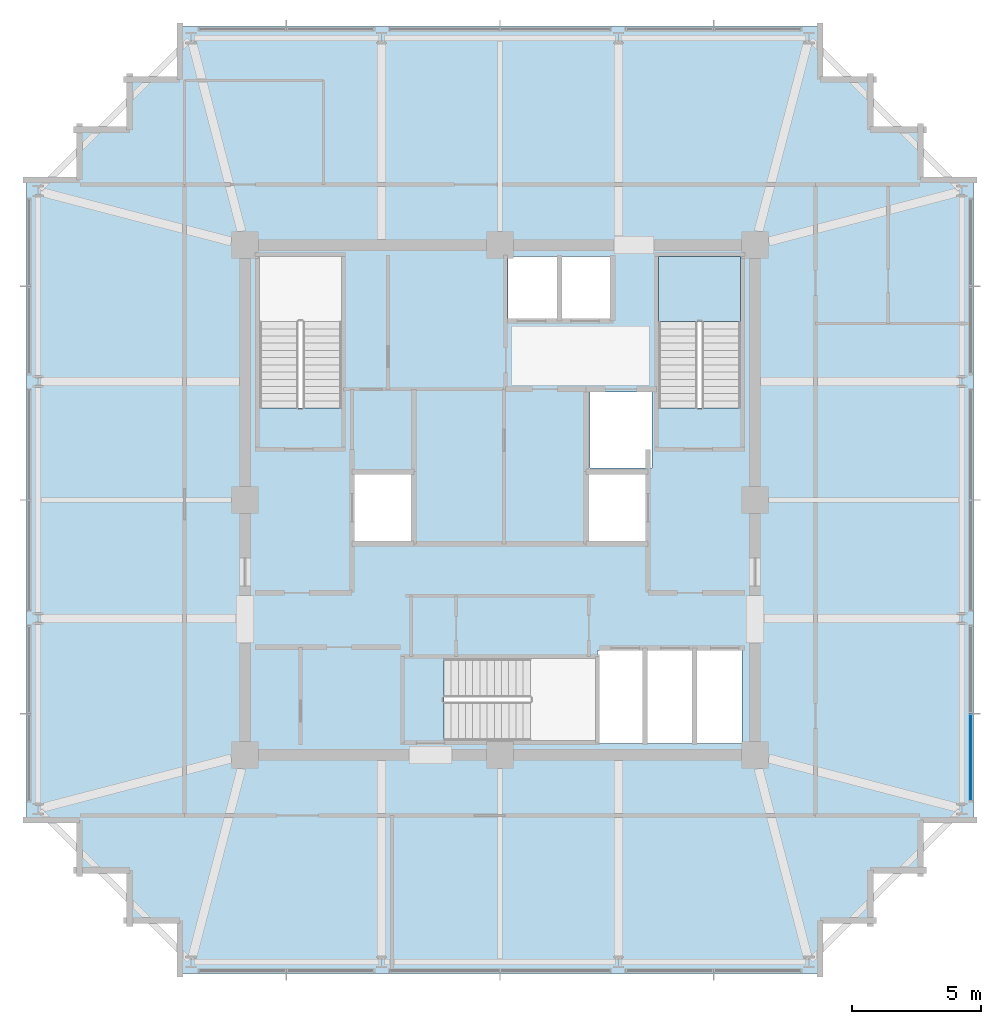
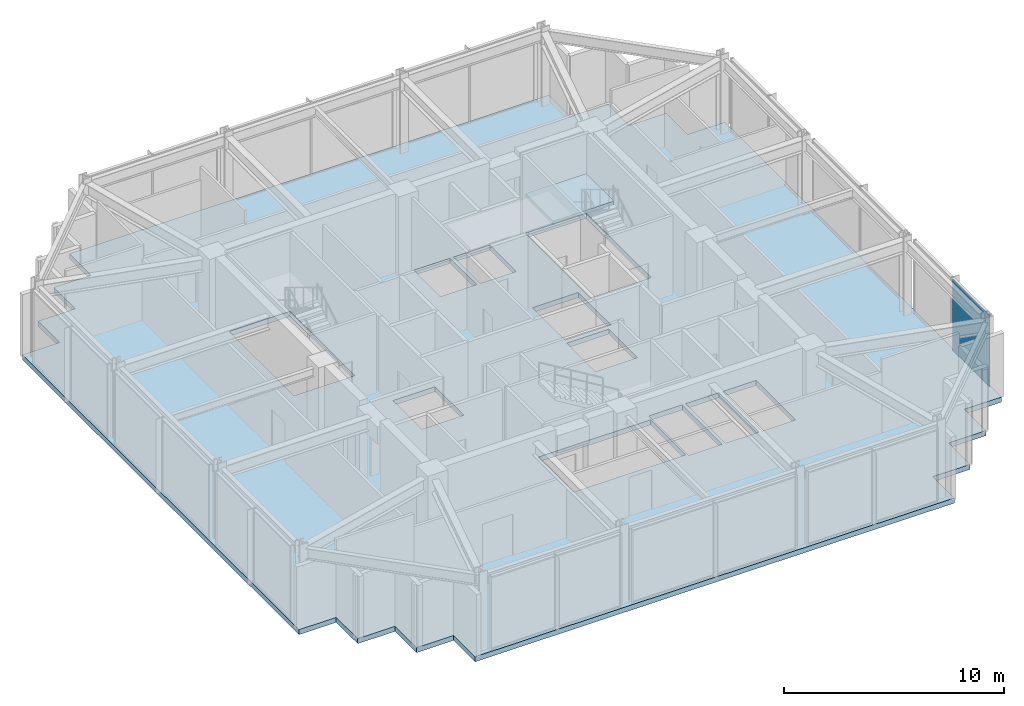
# One storey, part 20 of 26: 2 slabs, 1 plate, 2 elements without a shape of their own.
"""IFC4 building model written with IfcOpenShell, lengths in metres."""

from ifc_helpers import new_model, si_unit, direction, frame, origin, origin_2d, place, context, subcontext, project, spatial, polyline, rectangle, outline, extrude, material, layer, layer_set, type_object, element, aggregate, save


model = new_model("IFC4")

# Units and contexts
model_context = context("Model", 3, precision=1e-05, world=origin(), true_north=direction((0.0, 1.0)))
body_context = subcontext(model_context, "Body", "Model", "MODEL_VIEW")
ifc_project = project(units=[si_unit("LENGTHUNIT", "METRE"), si_unit("AREAUNIT", "SQUARE_METRE"), si_unit("VOLUMEUNIT", "CUBIC_METRE"), si_unit("PLANEANGLEUNIT", "RADIAN"), si_unit("MASSUNIT", "GRAM", prefix="KILO")], contexts=[model_context])

# Site, building, storey
site_placement = place(None, origin())
site = spatial("IfcSite", under=ifc_project, at=site_placement, CompositionType="ELEMENT")
building_placement = place(site_placement, origin())
building = spatial("IfcBuilding", under=site, at=building_placement, Name="Kolvaren Belvedere", CompositionType="ELEMENT")
storey_placement = place(building_placement, frame((0.0, 0.0, 258.39990234375)))
storey = spatial("IfcBuildingStorey", under=building, at=storey_placement, Name="L75", CompositionType="ELEMENT", Elevation=258.39990234375)

# Curtain wall, plate
ifc_material_1 = material(Name="Anodised pale-metal aluminium AA 6063-T6", Category="aluminium")
curtain_wall_type = type_object("IfcCurtainWallType", Name="CW-CRN-OBS", PredefinedType="NOTDEFINED", material=ifc_material_1)
curtain_wall_placement = place(storey_placement, origin())
curtain_wall = element("IfcCurtainWall", 1, at=curtain_wall_placement, inside=storey, type_object=curtain_wall_type, Name="L75 Unitised Curtain Wall FCW-L75-E-B3", PredefinedType="NOTDEFINED")
ifc_material_2 = material(Name="Low-iron laminated vision glass", Category="glass")
ifc_layer_1 = layer(ifc_material_2, 0.031982421875)
ifc_layer_set_1 = layer_set([ifc_layer_1], Name="Low-iron laminated vision glass")
plate_type = type_object("IfcPlateType", Name="CW-PNL-VIS32", PredefinedType="CURTAIN_PANEL", material=ifc_layer_set_1)
plate_placement = place(storey_placement, frame((18.280029296875, -10.0048828125, 0.080078125), z_axis=(0.0, 0.0, 1.0), x_axis=(0.0, -1.0, 0.0)))
plate = element("IfcPlate", 2, at=plate_placement, type_object=plate_type, Name="FCW-L75-E-B3 Vision Glazing Panel 2", PredefinedType="CURTAIN_PANEL", context=body_context, shape_type="SweptSolid", body=[
    extrude(rectangle(XDim=3.330078125, YDim=0.031982421875, at=origin_2d()), origin(), (0.0, 0.0, 1.0), 3.9599609375),
])
aggregate(curtain_wall, [plate])

# Slab
ifc_material_3 = material(Name="Concrete C50/60", Category="concrete")
ifc_layer_2 = layer(ifc_material_3, 0.280029296875)
ifc_layer_set_2 = layer_set([ifc_layer_2], Name="Concrete C50/60")
slab_type_1 = type_object("IfcSlabType", Name="SL-FLR-280", PredefinedType="FLOOR", material=ifc_layer_set_2)
slab_1_placement = place(storey_placement, frame((0.0, 0.0, -0.27978515625)))
element("IfcSlab", 3, at=slab_1_placement, inside=storey, type_object=slab_type_1, Name="L75 Primary Structural Slab", PredefinedType="FLOOR", context=body_context, shape_type="SweptSolid", body=[
    extrude(outline(polyline([(-12.550048828125, -18.39990234375), (12.550048828125, -18.39990234375), (12.550048828125, -16.449951171875), (14.5, -16.449951171875), (14.5, -14.5), (16.449951171875, -14.5), (16.449951171875, -12.550048828125), (18.39990234375, -12.550048828125), (18.39990234375, 12.550048828125), (16.449951171875, 12.550048828125), (16.449951171875, 14.5), (14.5, 14.5), (14.5, 16.449951171875), (12.550048828125, 16.449951171875), (12.550048828125, 18.39990234375), (-12.550048828125, 18.39990234375), (-12.550048828125, 16.449951171875), (-14.5, 16.449951171875), (-14.5, 14.5), (-16.449951171875, 14.5), (-16.449951171875, 12.550048828125), (-18.39990234375, 12.550048828125), (-18.39990234375, -12.550048828125), (-16.449951171875, -12.550048828125), (-16.449951171875, -14.5), (-14.5, -14.5), (-14.5, -16.449951171875), (-12.550048828125, -16.449951171875), (-12.550048828125, -18.39990234375)]), holes=[polyline([(-9.35009765625, 3.580078125), (-6.159912109375, 3.580078125), (-6.159912109375, 9.449951171875), (-9.35009765625, 9.449951171875), (-9.35009765625, 3.580078125)]), polyline([(6.159912109375, 3.580078125), (9.35009765625, 3.580078125), (9.35009765625, 9.449951171875), (6.159912109375, 9.449951171875), (6.159912109375, 3.580078125)]), polyline([(-2.169921875, -9.35009765625), (3.699951171875, -9.35009765625), (3.699951171875, -6.159912109375), (-2.169921875, -6.159912109375), (-2.169921875, -9.35009765625)]), polyline([(-5.64990234375, -1.60009765625), (-3.449951171875, -1.60009765625), (-3.449951171875, 1.0), (-5.64990234375, 1.0), (-5.64990234375, -1.60009765625)]), polyline([(3.5, 1.25), (5.89990234375, 1.25), (5.89990234375, 4.199951171875), (3.5, 4.199951171875), (3.5, 1.25)]), polyline([(3.449951171875, -1.60009765625), (5.64990234375, -1.60009765625), (5.64990234375, 1.0), (3.449951171875, 1.0), (3.449951171875, -1.60009765625)]), polyline([(3.7900390625, -9.449951171875), (5.5400390625, -9.449951171875), (5.5400390625, -5.85009765625), (3.7900390625, -5.85009765625), (3.7900390625, -9.449951171875)]), polyline([(5.719970703125, -9.449951171875), (7.469970703125, -9.449951171875), (7.469970703125, -5.85009765625), (5.719970703125, -5.85009765625), (5.719970703125, -9.449951171875)]), polyline([(7.64990234375, -9.449951171875), (9.39990234375, -9.449951171875), (9.39990234375, -5.85009765625), (7.64990234375, -5.85009765625), (7.64990234375, -9.449951171875)]), polyline([(0.320068359375, 7.050048828125), (2.219970703125, 7.050048828125), (2.219970703125, 9.449951171875), (0.320068359375, 9.449951171875), (0.320068359375, 7.050048828125)]), polyline([(2.39990234375, 7.050048828125), (4.300048828125, 7.050048828125), (4.300048828125, 9.449951171875), (2.39990234375, 9.449951171875), (2.39990234375, 7.050048828125)])]), origin(), (0.0, 0.0, 1.0), 0.27978515625),
])

# Stair, slab
ifc_material_4 = material(Name="Concrete C50/60", Category="concrete")
stair_type = type_object("IfcStairType", Name="ST-CORE-1520", PredefinedType="HALF_TURN_STAIR", material=ifc_material_4)
stair_placement = place(storey_placement, origin())
stair = element("IfcStair", 4, at=stair_placement, inside=storey, type_object=stair_type, Name="L75 Protected Exit Stair ST-2", PredefinedType="HALF_TURN_STAIR")
ifc_material_5 = material(Name="Concrete C50/60", Category="concrete")
ifc_layer_3 = layer(ifc_material_5, 0.260009765625)
ifc_layer_set_3 = layer_set([ifc_layer_3], Name="Concrete C50/60")
slab_type_2 = type_object("IfcSlabType", Name="SL-LAND-260", PredefinedType="LANDING", material=ifc_layer_set_3)
slab_2_placement = place(storey_placement, frame((0.0, 0.0, 2.0)))
slab_2 = element("IfcSlab", 5, at=slab_2_placement, type_object=slab_type_2, Name="ST-2 landing 1", PredefinedType="LANDING", context=body_context, shape_type="SweptSolid", body=[
    extrude(outline(polyline([(9.35009765625, 6.929931640625), (9.35009765625, 9.449951171875), (6.159912109375, 9.449951171875), (6.159912109375, 6.929931640625), (9.35009765625, 6.929931640625)])), origin(), (0.0, 0.0, 1.0), 0.2001953125),
])
aggregate(stair, [slab_2])

save(model, "model.ifc")
